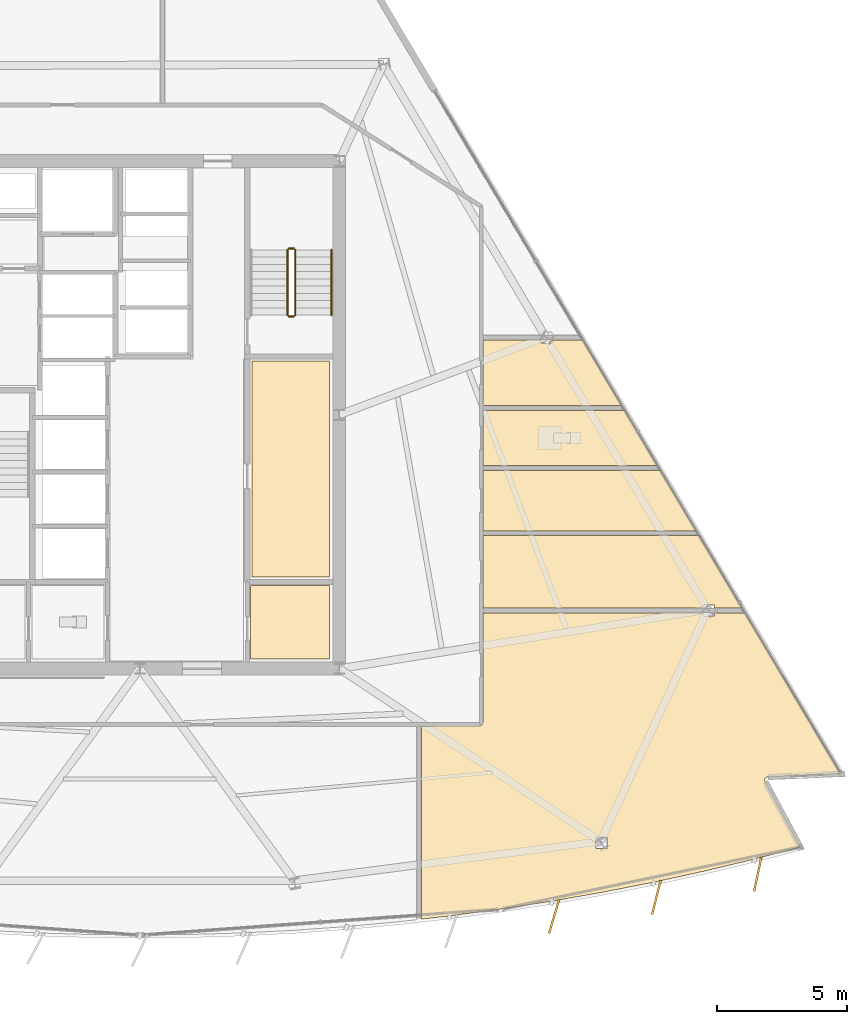
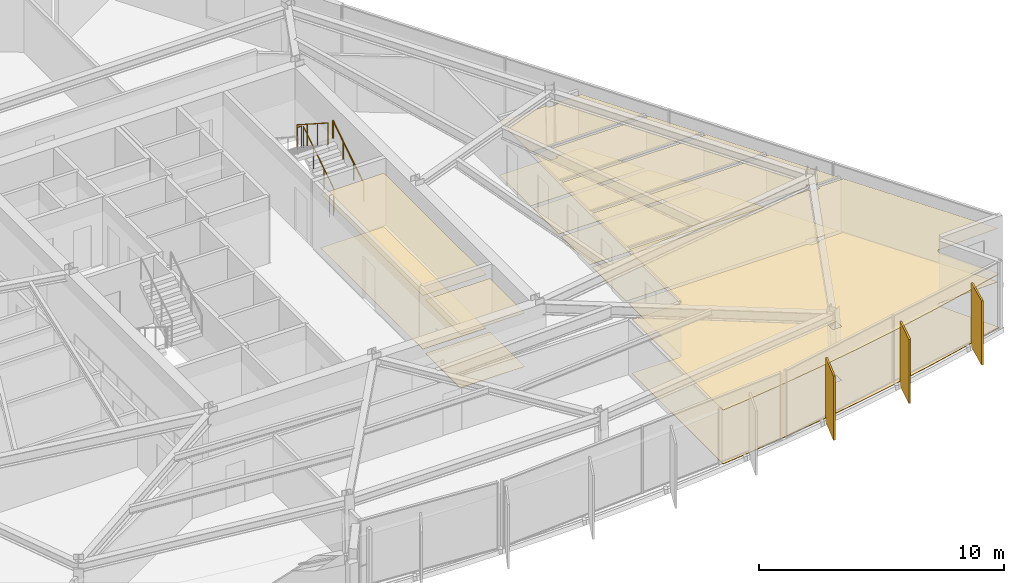
# One storey, part 14 of 16: 14 coverings, 5 railings, 3 shading devices.
"""IFC4 building model written with IfcOpenShell, lengths in metres."""

from ifc_helpers import new_model, si_unit, direction, frame, origin, origin_2d, place, context, subcontext, project, spatial, polyline, rectangle, circle, outline, extrude, material, layer, layer_set, type_object, element, save


model = new_model("IFC4")

# Units and contexts
model_context = context("Model", 3, precision=1e-05, world=origin(), true_north=direction((0.0, 1.0)))
body_context = subcontext(model_context, "Body", "Model", "MODEL_VIEW")
ifc_project = project(units=[si_unit("LENGTHUNIT", "METRE"), si_unit("AREAUNIT", "SQUARE_METRE"), si_unit("VOLUMEUNIT", "CUBIC_METRE"), si_unit("PLANEANGLEUNIT", "RADIAN"), si_unit("MASSUNIT", "GRAM", prefix="KILO")], contexts=[model_context])

# Site, building, storey
site_placement = place(None, origin())
site = spatial("IfcSite", under=ifc_project, at=site_placement, CompositionType="ELEMENT")
building_placement = place(site_placement, origin())
building = spatial("IfcBuilding", under=site, at=building_placement, Name="Savorim Split Tower", CompositionType="ELEMENT")
storey_placement = place(building_placement, frame((0.0, 0.0, 153.0)))
storey = spatial("IfcBuildingStorey", under=building, at=storey_placement, Name="L40", CompositionType="ELEMENT", Elevation=153.0)

# Coverings
ifc_material_1 = material(Name="Mineral Fibre Acoustic Ceiling")
ifc_layer_1 = layer(ifc_material_1, 0.02490234375)
ifc_layer_set_1 = layer_set([ifc_layer_1], Name="COV-CEIL-25")
covering_type_1 = type_object("IfcCoveringType", Name="COV-CEIL-25", PredefinedType="CEILING", material=ifc_layer_set_1)
covering_1_placement = place(storey_placement, frame((0.0, 0.0, 2.669921875)))
element("IfcCovering", 1, at=covering_1_placement, inside=storey, type_object=covering_type_1, Name="L40 Shared Pantry and Linen Room Acoustic Ceiling", PredefinedType="CEILING", context=body_context, shape_type="SweptSolid", body=[
    extrude(outline(polyline([(4.330078125, 2.469970703125), (4.330078125, -5.8701171875), (7.320068359375, -5.8701171875), (7.320068359375, 2.469970703125), (4.330078125, 2.469970703125)])), origin(), (0.0, 0.0, 1.0), 0.025146484375),
])
covering_2_placement = place(storey_placement, frame((0.0, 0.0, 2.669921875)))
element("IfcCovering", 2, at=covering_2_placement, inside=storey, type_object=covering_type_1, Name="L40 Core IT Server Room Acoustic Ceiling", PredefinedType="CEILING", context=body_context, shape_type="SweptSolid", body=[
    extrude(outline(polyline([(4.280029296875, -6.179931640625), (4.280029296875, -9.02001953125), (7.320068359375, -9.02001953125), (7.320068359375, -6.179931640625), (4.280029296875, -6.179931640625)])), origin(), (0.0, 0.0, 1.0), 0.025146484375),
])
covering_3_placement = place(storey_placement, frame((0.0, 0.0, 2.669921875)))
element("IfcCovering", 3, at=covering_3_placement, inside=storey, type_object=covering_type_1, Name="L40 Co-Working Commons Acoustic Ceiling", PredefinedType="CEILING", context=body_context, shape_type="SweptSolid", body=[
    extrude(outline(polyline([(24.2138671875, -13.5810546875), (24.22509765625, -13.5791015625), (24.236572265625, -13.577880859375), (27.058837890625, -13.457763671875), (23.350341796875, -7.22119140625), (23.350341796875, -7.254150390625), (22.18212890625, -7.254150390625), (22.18212890625, -7.372802734375), (21.75830078125, -7.372802734375), (21.75830078125, -7.254150390625), (13.239990234375, -7.254150390625), (13.239990234375, -11.47998046875), (13.2392578125, -11.49365234375), (13.2373046875, -11.50732421875), (13.23388671875, -11.5205078125), (13.229248046875, -11.53369140625), (13.223388671875, -11.5458984375), (13.21630859375, -11.557861328125), (13.208251953125, -11.56884765625), (13.198974609375, -11.5791015625), (13.188720703125, -11.588134765625), (13.177734375, -11.596435546875), (13.166015625, -11.603515625), (13.153564453125, -11.609375), (13.140625, -11.614013671875), (13.127197265625, -11.6171875), (13.11376953125, -11.619384765625), (13.10009765625, -11.6201171875), (10.872314453125, -11.6201171875), (10.872314453125, -19.068603515625), (11.945556640625, -18.947265625), (13.923828125, -18.6826171875), (15.89599609375, -18.37744140625), (17.86181640625, -18.031982421875), (19.8203125, -17.646484375), (21.770263671875, -17.220947265625), (23.711181640625, -16.755615234375), (25.495849609375, -16.288818359375), (24.135986328125, -13.75439453125), (24.131103515625, -13.744140625), (24.127197265625, -13.7333984375), (24.124267578125, -13.72216796875), (24.122314453125, -13.710693359375), (24.12158203125, -13.69921875), (24.1220703125, -13.6875), (24.123779296875, -13.67626953125), (24.126220703125, -13.664794921875), (24.1298828125, -13.654052734375), (24.134765625, -13.6435546875), (24.140380859375, -13.63330078125), (24.147216796875, -13.6240234375), (24.154541015625, -13.615234375), (24.162841796875, -13.607421875), (24.172119140625, -13.60009765625), (24.181640625, -13.593994140625), (24.19189453125, -13.588623046875), (24.20263671875, -13.584228515625), (24.2138671875, -13.5810546875)]), holes=[polyline([(18.03369140625, -16.3408203125), (18.03369140625, -15.913818359375), (17.609619140625, -15.913818359375), (17.609619140625, -16.3408203125), (18.03369140625, -16.3408203125)])]), origin(), (0.0, 0.0, 1.0), 0.025146484375),
])
covering_4_placement = place(storey_placement, frame((0.0, 0.0, 2.669921875)))
element("IfcCovering", 4, at=covering_4_placement, inside=storey, type_object=covering_type_1, Name="L40 Co-Working Commons Acoustic Ceiling", PredefinedType="CEILING", context=body_context, shape_type="SweptSolid", body=[
    extrude(outline(polyline([(22.18212890625, -6.94580078125), (22.18212890625, -7.064208984375), (23.25537109375, -7.064208984375), (23.257080078125, -7.064208984375), (21.593505859375, -4.2666015625), (13.239990234375, -4.2666015625), (13.239990234375, -7.064208984375), (21.75830078125, -7.064208984375), (21.75830078125, -6.94580078125), (22.18212890625, -6.94580078125)])), origin(), (0.0, 0.0, 1.0), 0.025146484375),
])
covering_5_placement = place(storey_placement, frame((0.0, 0.0, 2.669921875)))
element("IfcCovering", 5, at=covering_5_placement, inside=storey, type_object=covering_type_1, Name="L40 Co-Working Commons Acoustic Ceiling", PredefinedType="CEILING", context=body_context, shape_type="SweptSolid", body=[
    extrude(outline(polyline([(21.48046875, -4.076416015625), (20.09521484375, -1.746826171875), (13.239990234375, -1.746826171875), (13.239990234375, -4.076416015625), (21.48046875, -4.076416015625)])), origin(), (0.0, 0.0, 1.0), 0.025146484375),
])
covering_6_placement = place(storey_placement, frame((0.0, 0.0, 2.669921875)))
element("IfcCovering", 6, at=covering_6_placement, inside=storey, type_object=covering_type_1, Name="L40 Shared Bathroom Acoustic Ceiling", PredefinedType="CEILING", context=body_context, shape_type="SweptSolid", body=[
    extrude(outline(polyline([(19.982421875, -1.556884765625), (18.72021484375, 0.56591796875), (13.239990234375, 0.56591796875), (13.239990234375, -1.556884765625), (19.982421875, -1.556884765625)])), origin(), (0.0, 0.0, 1.0), 0.025146484375),
])
covering_7_placement = place(storey_placement, frame((0.0, 0.0, 2.669921875)))
element("IfcCovering", 7, at=covering_7_placement, inside=storey, type_object=covering_type_1, Name="L40 Quiet Study Room Acoustic Ceiling", PredefinedType="CEILING", context=body_context, shape_type="SweptSolid", body=[
    extrude(outline(polyline([(15.48681640625, 3.174072265625), (15.48681640625, 3.29248046875), (13.239990234375, 3.29248046875), (13.239990234375, 0.755859375), (18.607177734375, 0.755859375), (17.0791015625, 3.32568359375), (17.0791015625, 3.29248046875), (15.910888671875, 3.29248046875), (15.910888671875, 3.174072265625), (15.48681640625, 3.174072265625)])), origin(), (0.0, 0.0, 1.0), 0.025146484375),
])
ifc_material_2 = material(Name="Porcelain Stoneware Flooring", Category="masonry")
ifc_layer_2 = layer(ifc_material_2, 0.02001953125)
ifc_layer_set_2 = layer_set([ifc_layer_2], Name="COV-FLOR-20")
covering_type_2 = type_object("IfcCoveringType", Name="COV-FLOR-20", PredefinedType="FLOORING", material=ifc_layer_set_2)
covering_8_placement = place(storey_placement, origin())
element("IfcCovering", 8, at=covering_8_placement, inside=storey, type_object=covering_type_2, Name="L40 Shared Pantry and Linen Room Porcelain Flooring", PredefinedType="FLOORING", context=body_context, shape_type="SweptSolid", body=[
    extrude(outline(polyline([(4.330078125, 2.469970703125), (4.330078125, -5.8701171875), (7.320068359375, -5.8701171875), (7.320068359375, 2.469970703125), (4.330078125, 2.469970703125)])), origin(), (0.0, 0.0, 1.0), 0.02001953125),
])
covering_9_placement = place(storey_placement, origin())
element("IfcCovering", 9, at=covering_9_placement, inside=storey, type_object=covering_type_2, Name="L40 Core IT Server Room Porcelain Flooring", PredefinedType="FLOORING", context=body_context, shape_type="SweptSolid", body=[
    extrude(outline(polyline([(4.280029296875, -6.179931640625), (4.280029296875, -9.02001953125), (7.320068359375, -9.02001953125), (7.320068359375, -6.179931640625), (4.280029296875, -6.179931640625)])), origin(), (0.0, 0.0, 1.0), 0.02001953125),
])
covering_10_placement = place(storey_placement, origin())
element("IfcCovering", 10, at=covering_10_placement, inside=storey, type_object=covering_type_2, Name="L40 Co-Working Commons Porcelain Flooring", PredefinedType="FLOORING", context=body_context, shape_type="SweptSolid", body=[
    extrude(outline(polyline([(24.2138671875, -13.5810546875), (24.22509765625, -13.5791015625), (24.236572265625, -13.577880859375), (27.058837890625, -13.457763671875), (23.350341796875, -7.22119140625), (23.350341796875, -7.254150390625), (22.18212890625, -7.254150390625), (22.18212890625, -7.372802734375), (21.75830078125, -7.372802734375), (21.75830078125, -7.254150390625), (13.239990234375, -7.254150390625), (13.239990234375, -11.47998046875), (13.2392578125, -11.49365234375), (13.2373046875, -11.50732421875), (13.23388671875, -11.5205078125), (13.229248046875, -11.53369140625), (13.223388671875, -11.5458984375), (13.21630859375, -11.557861328125), (13.208251953125, -11.56884765625), (13.198974609375, -11.5791015625), (13.188720703125, -11.588134765625), (13.177734375, -11.596435546875), (13.166015625, -11.603515625), (13.153564453125, -11.609375), (13.140625, -11.614013671875), (13.127197265625, -11.6171875), (13.11376953125, -11.619384765625), (13.10009765625, -11.6201171875), (10.872314453125, -11.6201171875), (10.872314453125, -19.068603515625), (11.945556640625, -18.947265625), (13.923828125, -18.6826171875), (15.89599609375, -18.37744140625), (17.86181640625, -18.031982421875), (19.8203125, -17.646484375), (21.770263671875, -17.220947265625), (23.711181640625, -16.755615234375), (25.495849609375, -16.288818359375), (24.135986328125, -13.75439453125), (24.131103515625, -13.744140625), (24.127197265625, -13.7333984375), (24.124267578125, -13.72216796875), (24.122314453125, -13.710693359375), (24.12158203125, -13.69921875), (24.1220703125, -13.6875), (24.123779296875, -13.67626953125), (24.126220703125, -13.664794921875), (24.1298828125, -13.654052734375), (24.134765625, -13.6435546875), (24.140380859375, -13.63330078125), (24.147216796875, -13.6240234375), (24.154541015625, -13.615234375), (24.162841796875, -13.607421875), (24.172119140625, -13.60009765625), (24.181640625, -13.593994140625), (24.19189453125, -13.588623046875), (24.20263671875, -13.584228515625), (24.2138671875, -13.5810546875)]), holes=[polyline([(18.03369140625, -16.3408203125), (18.03369140625, -15.913818359375), (17.609619140625, -15.913818359375), (17.609619140625, -16.3408203125), (18.03369140625, -16.3408203125)])]), origin(), (0.0, 0.0, 1.0), 0.02001953125),
])
covering_11_placement = place(storey_placement, origin())
element("IfcCovering", 11, at=covering_11_placement, inside=storey, type_object=covering_type_2, Name="L40 Co-Working Commons Porcelain Flooring", PredefinedType="FLOORING", context=body_context, shape_type="SweptSolid", body=[
    extrude(outline(polyline([(22.18212890625, -6.94580078125), (22.18212890625, -7.064208984375), (23.25537109375, -7.064208984375), (23.257080078125, -7.064208984375), (21.593505859375, -4.2666015625), (13.239990234375, -4.2666015625), (13.239990234375, -7.064208984375), (21.75830078125, -7.064208984375), (21.75830078125, -6.94580078125), (22.18212890625, -6.94580078125)])), origin(), (0.0, 0.0, 1.0), 0.02001953125),
])
covering_12_placement = place(storey_placement, origin())
element("IfcCovering", 12, at=covering_12_placement, inside=storey, type_object=covering_type_2, Name="L40 Co-Working Commons Porcelain Flooring", PredefinedType="FLOORING", context=body_context, shape_type="SweptSolid", body=[
    extrude(outline(polyline([(21.48046875, -4.076416015625), (20.09521484375, -1.746826171875), (13.239990234375, -1.746826171875), (13.239990234375, -4.076416015625), (21.48046875, -4.076416015625)])), origin(), (0.0, 0.0, 1.0), 0.02001953125),
])
covering_13_placement = place(storey_placement, origin())
element("IfcCovering", 13, at=covering_13_placement, inside=storey, type_object=covering_type_2, Name="L40 Shared Bathroom Porcelain Flooring", PredefinedType="FLOORING", context=body_context, shape_type="SweptSolid", body=[
    extrude(outline(polyline([(19.982421875, -1.556884765625), (18.72021484375, 0.56591796875), (13.239990234375, 0.56591796875), (13.239990234375, -1.556884765625), (19.982421875, -1.556884765625)])), origin(), (0.0, 0.0, 1.0), 0.02001953125),
])
covering_14_placement = place(storey_placement, origin())
element("IfcCovering", 14, at=covering_14_placement, inside=storey, type_object=covering_type_2, Name="L40 Quiet Study Room Porcelain Flooring", PredefinedType="FLOORING", context=body_context, shape_type="SweptSolid", body=[
    extrude(outline(polyline([(15.48681640625, 3.174072265625), (15.48681640625, 3.29248046875), (13.239990234375, 3.29248046875), (13.239990234375, 0.755859375), (18.607177734375, 0.755859375), (17.0791015625, 3.32568359375), (17.0791015625, 3.29248046875), (15.910888671875, 3.29248046875), (15.910888671875, 3.174072265625), (15.48681640625, 3.174072265625)])), origin(), (0.0, 0.0, 1.0), 0.02001953125),
])

# Railings
ifc_material_3 = material(Name="Galvanised Painted Steel Balustrade", Category="steel")
railing_type_1 = type_object("IfcRailingType", Name="RLG-HR-900", PredefinedType="HANDRAIL", material=ifc_material_3)
railing_1_placement = place(storey_placement, frame((7.39990234375, 4.25, 0.179931640625)))
element("IfcRailing", 15, at=railing_1_placement, inside=storey, type_object=railing_type_1, Name="L40 ST-2 stair handrail 1", PredefinedType="HANDRAIL", context=body_context, shape_type="SweptSolid", body=[
    extrude(circle(Radius=0.02392578125, at=origin_2d()), frame((0.0, 0.0, 0.8759765625), z_axis=(0.0, 0.841162588446, 0.540782303519), x_axis=(-1.0, 0.0, 0.0)), (0.0, 0.0, 1.0), 2.995849609375),
    extrude(circle(Radius=0.02099609375, at=origin_2d()), origin(), (0.0, 0.0, 1.0), 0.851806640625),
    extrude(circle(Radius=0.02099609375, at=origin_2d()), frame((0.0, 0.840087890625, 0.5400390625)), (0.0, 0.0, 1.0), 0.851806640625),
    extrude(circle(Radius=0.02099609375, at=origin_2d()), frame((0.0, 1.679931640625, 1.080078125)), (0.0, 0.0, 1.0), 0.851806640625),
    extrude(circle(Radius=0.02099609375, at=origin_2d()), frame((0.0, 2.52001953125, 1.6201171875)), (0.0, 0.0, 1.0), 0.851806640625),
])
railing_type_2 = type_object("IfcRailingType", Name="RLG-STG-1100", PredefinedType="BALUSTRADE", material=ifc_material_3)
railing_2_placement = place(storey_placement, frame((6.0, 4.25, 0.179931640625)))
element("IfcRailing", 16, at=railing_2_placement, inside=storey, type_object=railing_type_2, Name="L40 ST-2 stair guard 1", PredefinedType="BALUSTRADE", context=body_context, shape_type="SweptSolid", body=[
    extrude(circle(Radius=0.02392578125, at=origin_2d()), frame((0.0, 0.0, 1.076171875), z_axis=(0.0, 0.841162588446, 0.540782303519), x_axis=(-1.0, 0.0, 0.0)), (0.0, 0.0, 1.0), 2.995849609375),
    extrude(circle(Radius=0.02099609375, at=origin_2d()), origin(), (0.0, 0.0, 1.0), 1.052001953125),
    extrude(circle(Radius=0.02099609375, at=origin_2d()), frame((0.0, 0.840087890625, 0.5400390625)), (0.0, 0.0, 1.0), 1.052001953125),
    extrude(circle(Radius=0.02099609375, at=origin_2d()), frame((0.0, 1.679931640625, 1.080078125)), (0.0, 0.0, 1.0), 1.052001953125),
    extrude(circle(Radius=0.02099609375, at=origin_2d()), frame((0.0, 2.52001953125, 1.6201171875)), (0.0, 0.0, 1.0), 1.052001953125),
])
railing_3_placement = place(storey_placement, frame((5.949951171875, 6.820068359375, 1.800048828125)))
element("IfcRailing", 17, at=railing_3_placement, inside=storey, type_object=railing_type_2, Name="L40 ST-2 stair guard 2", PredefinedType="BALUSTRADE", context=body_context, shape_type="SweptSolid", body=[
    extrude(circle(Radius=0.02392578125, at=origin_2d()), frame((0.0, 0.0, 1.076171875), z_axis=(-1.0, 0.0, 0.0), x_axis=(0.0, -1.0, 0.0)), (0.0, 0.0, 1.0), 0.199951171875),
    extrude(circle(Radius=0.02099609375, at=origin_2d()), origin(), (0.0, 0.0, 1.0), 1.052001953125),
    extrude(circle(Radius=0.02099609375, at=origin_2d()), frame((-0.199951171875, 0.0, 0.0)), (0.0, 0.0, 1.0), 1.052001953125),
])
railing_4_placement = place(storey_placement, frame((5.699951171875, 6.77001953125, 1.97998046875)))
element("IfcRailing", 18, at=railing_4_placement, inside=storey, type_object=railing_type_2, Name="L40 ST-2 stair guard 3", PredefinedType="BALUSTRADE", context=body_context, shape_type="SweptSolid", body=[
    extrude(circle(Radius=0.02392578125, at=origin_2d()), frame((0.0, 0.0, 1.076171875), z_axis=(0.0, -0.841162588446, 0.540782303519), x_axis=(1.0, 0.0, 0.0)), (0.0, 0.0, 1.0), 2.995849609375),
    extrude(circle(Radius=0.02099609375, at=origin_2d()), origin(), (0.0, 0.0, 1.0), 1.052001953125),
    extrude(circle(Radius=0.02099609375, at=origin_2d()), frame((0.0, -0.840087890625, 0.5400390625)), (0.0, 0.0, 1.0), 1.052001953125),
    extrude(circle(Radius=0.02099609375, at=origin_2d()), frame((0.0, -1.679931640625, 1.080078125)), (0.0, 0.0, 1.0), 1.052001953125),
    extrude(circle(Radius=0.02099609375, at=origin_2d()), frame((0.0, -2.52001953125, 1.6201171875)), (0.0, 0.0, 1.0), 1.052001953125),
])
railing_5_placement = place(storey_placement, frame((5.949951171875, 4.199951171875, 0.0)))
element("IfcRailing", 19, at=railing_5_placement, inside=storey, type_object=railing_type_2, Name="L40 ST-2 stair guard 4", PredefinedType="BALUSTRADE", context=body_context, shape_type="SweptSolid", body=[
    extrude(circle(Radius=0.02392578125, at=origin_2d()), frame((0.0, 0.0, 1.076171875), z_axis=(-1.0, 0.0, 0.0), x_axis=(0.0, -1.0, 0.0)), (0.0, 0.0, 1.0), 0.199951171875),
    extrude(circle(Radius=0.02099609375, at=origin_2d()), origin(), (0.0, 0.0, 1.0), 1.052001953125),
    extrude(circle(Radius=0.02099609375, at=origin_2d()), frame((-0.199951171875, 0.0, 0.0)), (0.0, 0.0, 1.0), 1.052001953125),
])

# Shading devices
ifc_material_4 = material(Name="Terracotta Ceramic-Coated Aluminium Fin", Category="masonry")
shading_device_type = type_object("IfcShadingDeviceType", Name="SHD-FIN-1360", PredefinedType="USERDEFINED", material=ifc_material_4)
for number, where, z_axis, x_axis, name in (
    (20, (15.993408203125, -18.965576171875, -0.2001953125), (0.0, 0.0, 1.0), (-0.286026212504, -0.958221793616, 0.0), "L40 Sawtooth Shading Fin 11"),
    (21, (19.94140625, -18.22998046875, -0.2001953125), (0.0, 0.0, 1.0), (-0.246581250663, -0.969122121727, 0.0), "L40 Sawtooth Shading Fin 12"),
    (22, (23.85595703125, -17.333740234375, -0.2001953125), (0.0, 0.0, 1.0), (-0.206721626106, -0.978399800337, 0.0), "L40 Sawtooth Shading Fin 13"),
):
    element("IfcShadingDevice", number, at=place(storey_placement, frame(where, z_axis=z_axis, x_axis=x_axis)), inside=storey, type_object=shading_device_type, Name=name, ObjectType="FIN", PredefinedType="USERDEFINED", context=body_context, shape_type="SweptSolid", body=[
        extrude(rectangle(XDim=1.360107421875, YDim=0.080078125, at=origin_2d()), origin(), (0.0, 0.0, 1.0), 3.199951171875),
    ])

save(model, "model.ifc")
